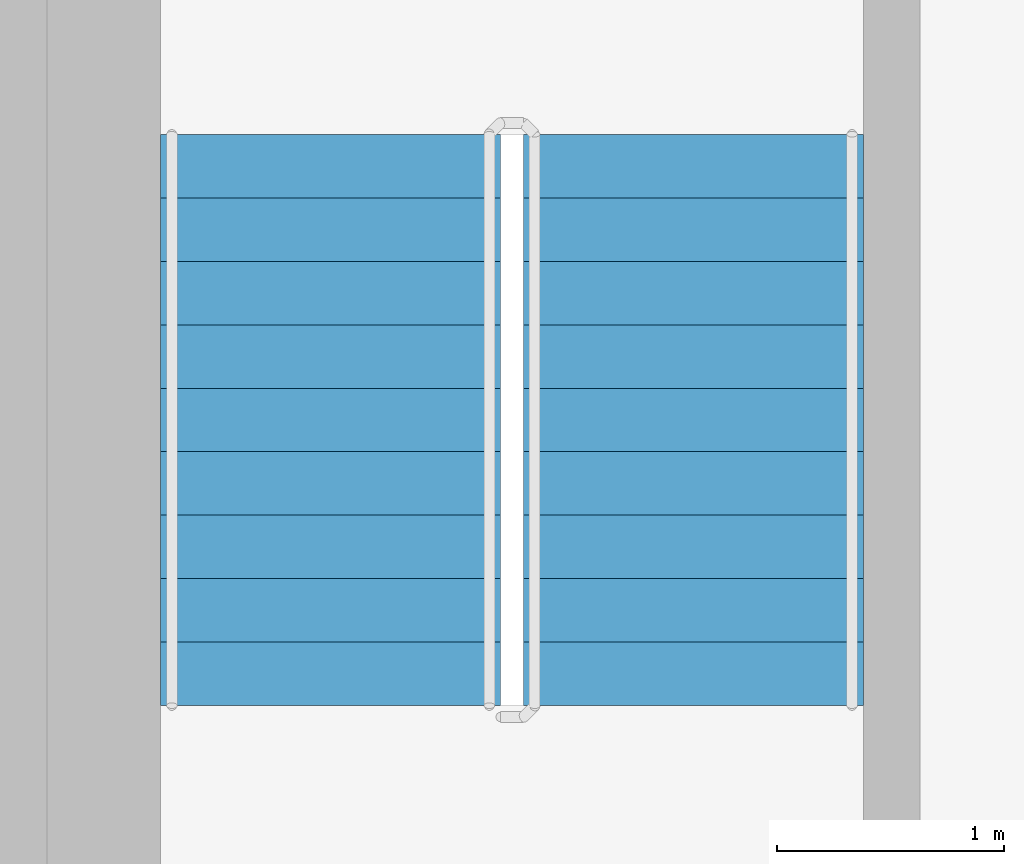
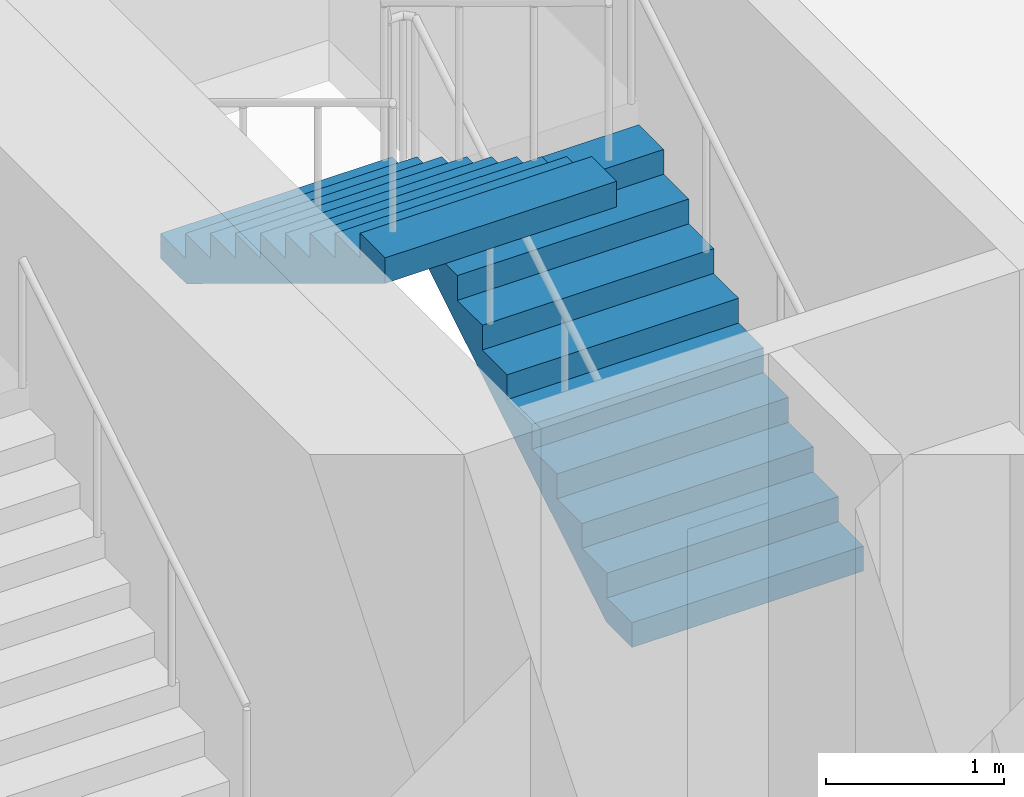
# One storey, part 13 of 22: 2 stair flights, 1 element without a shape of its own.
"""IFC4 building model written with IfcOpenShell, lengths in metres."""

from ifc_helpers import new_model, si_unit, direction, frame, origin, place, context, subcontext, project, spatial, triangles, source, transform, mapped, material, type_object, element, aggregate, save


model = new_model("IFC4")

# Units and contexts
model_context = context("Model", 3, precision=1e-05, world=origin(), true_north=direction((0.0, 1.0)))
body_context = subcontext(model_context, "Body", "Model", "MODEL_VIEW")
ifc_project = project(units=[si_unit("LENGTHUNIT", "METRE"), si_unit("AREAUNIT", "SQUARE_METRE"), si_unit("VOLUMEUNIT", "CUBIC_METRE"), si_unit("PLANEANGLEUNIT", "RADIAN"), si_unit("MASSUNIT", "GRAM", prefix="KILO")], contexts=[model_context])

# Site, building, storey
site_placement = place(None, origin())
site = spatial("IfcSite", under=ifc_project, at=site_placement, CompositionType="ELEMENT")
building_placement = place(site_placement, origin())
building = spatial("IfcBuilding", under=site, at=building_placement, Name="Kilnfold Tower and Market Hall", CompositionType="ELEMENT")
storey_placement = place(building_placement, frame((0.0, 0.0, 213.5)))
storey = spatial("IfcBuildingStorey", under=building, at=storey_placement, Name="L52", CompositionType="ELEMENT", Elevation=213.5)

# Stair, stair flights
ifc_material_1 = material(Name="Concrete C40/50", Category="concrete")
stair_type = type_object("IfcStairType", Name="CORE STAIR 1500", PredefinedType="HALF_TURN_STAIR", material=ifc_material_1)
stair_placement = place(storey_placement, origin())
stair = element("IfcStair", 1, at=stair_placement, inside=storey, type_object=stair_type, Name="L52 ST5", PredefinedType="HALF_TURN_STAIR")
ifc_material_2 = material(Name="Concrete C40/50", Category="concrete")
stair_flight_type = type_object("IfcStairFlightType", Name="CORE STAIR FLIGHT 1500", PredefinedType="STRAIGHT", material=ifc_material_2)
shared_shape = source(origin(), body_context, "Body", "Tessellation", [
    triangles([(0.0, 0.75, 0.0), (0.0, 0.65625, 0.0), (0.0, 0.5625, 0.0), (0.0, 0.46875, 0.0), (0.0, 0.375, 0.0), (0.0, 0.28125, 0.0), (0.0, 0.1875, 0.0), (0.0, 0.09375, 0.0), (0.0, 0.0, 0.0), (0.0, -0.09375, 0.0), (0.0, -0.1875, 0.0), (0.0, -0.28125, 0.0), (0.0, -0.375, 0.0), (0.0, -0.46875, 0.0), (0.0, -0.5625, 0.0), (0.0, -0.65625, 0.0), (0.0, -0.75, 0.0), (0.0, 0.75, 0.169921875), (0.0, 0.65625, 0.169921875), (0.0, 0.5625, 0.169921875), (0.0, 0.46875, 0.169921875), (0.0, 0.375, 0.169921875), (0.0, 0.28125, 0.169921875), (0.0, 0.1875, 0.169921875), (0.0, 0.09375, 0.169921875), (0.0, 0.0, 0.169921875), (0.0, -0.09375, 0.169921875), (0.0, -0.1875, 0.169921875), (0.0, -0.28125, 0.169921875), (0.0, -0.375, 0.169921875), (0.0, -0.46875, 0.169921875), (0.0, -0.5625, 0.169921875), (0.0, -0.65625, 0.169921875), (0.0, -0.75, 0.169921875), (0.280029296875, 0.75, 0.169921875), (0.280029296875, 0.65625, 0.169921875), (0.280029296875, 0.5625, 0.169921875), (0.280029296875, 0.46875, 0.169921875), (0.280029296875, 0.375, 0.169921875), (0.280029296875, 0.28125, 0.169921875), (0.280029296875, 0.1875, 0.169921875), (0.280029296875, 0.09375, 0.169921875), (0.280029296875, 0.0, 0.169921875), (0.280029296875, -0.09375, 0.169921875), (0.280029296875, -0.1875, 0.169921875), (0.280029296875, -0.28125, 0.169921875), (0.280029296875, -0.375, 0.169921875), (0.280029296875, -0.46875, 0.169921875), (0.280029296875, -0.5625, 0.169921875), (0.280029296875, -0.65625, 0.169921875), (0.280029296875, -0.75, 0.169921875), (0.280029296875, 0.75, 0.340087890625), (0.280029296875, 0.65625, 0.340087890625), (0.280029296875, 0.5625, 0.340087890625), (0.280029296875, 0.46875, 0.340087890625), (0.280029296875, 0.375, 0.340087890625), (0.280029296875, 0.28125, 0.340087890625), (0.280029296875, 0.1875, 0.340087890625), (0.280029296875, 0.09375, 0.340087890625), (0.280029296875, 0.0, 0.340087890625), (0.280029296875, -0.09375, 0.340087890625), (0.280029296875, -0.1875, 0.340087890625), (0.280029296875, -0.28125, 0.340087890625), (0.280029296875, -0.375, 0.340087890625), (0.280029296875, -0.46875, 0.340087890625), (0.280029296875, -0.5625, 0.340087890625), (0.280029296875, -0.65625, 0.340087890625), (0.280029296875, -0.75, 0.340087890625), (0.56005859375, 0.75, 0.340087890625), (0.56005859375, 0.65625, 0.340087890625), (0.56005859375, 0.5625, 0.340087890625), (0.56005859375, 0.46875, 0.340087890625), (0.56005859375, 0.375, 0.340087890625), (0.56005859375, 0.28125, 0.340087890625), (0.56005859375, 0.1875, 0.340087890625), (0.56005859375, 0.09375, 0.340087890625), (0.56005859375, 0.0, 0.340087890625), (0.56005859375, -0.09375, 0.340087890625), (0.56005859375, -0.1875, 0.340087890625), (0.56005859375, -0.28125, 0.340087890625), (0.56005859375, -0.375, 0.340087890625), (0.56005859375, -0.46875, 0.340087890625), (0.56005859375, -0.5625, 0.340087890625), (0.56005859375, -0.65625, 0.340087890625), (0.56005859375, -0.75, 0.340087890625), (0.56005859375, 0.75, 0.510009765625), (0.56005859375, 0.65625, 0.510009765625), (0.56005859375, 0.5625, 0.510009765625), (0.56005859375, 0.46875, 0.510009765625), (0.56005859375, 0.375, 0.510009765625), (0.56005859375, 0.28125, 0.510009765625), (0.56005859375, 0.1875, 0.510009765625), (0.56005859375, 0.09375, 0.510009765625), (0.56005859375, 0.0, 0.510009765625), (0.56005859375, -0.09375, 0.510009765625), (0.56005859375, -0.1875, 0.510009765625), (0.56005859375, -0.28125, 0.510009765625), (0.56005859375, -0.375, 0.510009765625), (0.56005859375, -0.46875, 0.510009765625), (0.56005859375, -0.5625, 0.510009765625), (0.56005859375, -0.65625, 0.510009765625), (0.56005859375, -0.75, 0.510009765625), (0.840087890625, 0.75, 0.510009765625), (0.840087890625, 0.65625, 0.510009765625), (0.840087890625, 0.5625, 0.510009765625), (0.840087890625, 0.46875, 0.510009765625), (0.840087890625, 0.375, 0.510009765625), (0.840087890625, 0.28125, 0.510009765625), (0.840087890625, 0.1875, 0.510009765625), (0.840087890625, 0.09375, 0.510009765625), (0.840087890625, 0.0, 0.510009765625), (0.840087890625, -0.09375, 0.510009765625), (0.840087890625, -0.1875, 0.510009765625), (0.840087890625, -0.28125, 0.510009765625), (0.840087890625, -0.375, 0.510009765625), (0.840087890625, -0.46875, 0.510009765625), (0.840087890625, -0.5625, 0.510009765625), (0.840087890625, -0.65625, 0.510009765625), (0.840087890625, -0.75, 0.510009765625), (0.840087890625, 0.75, 0.679931640625), (0.840087890625, 0.65625, 0.679931640625), (0.840087890625, 0.5625, 0.679931640625), (0.840087890625, 0.46875, 0.679931640625), (0.840087890625, 0.375, 0.679931640625), (0.840087890625, 0.28125, 0.679931640625), (0.840087890625, 0.1875, 0.679931640625), (0.840087890625, 0.09375, 0.679931640625), (0.840087890625, 0.0, 0.679931640625), (0.840087890625, -0.09375, 0.679931640625), (0.840087890625, -0.1875, 0.679931640625), (0.840087890625, -0.28125, 0.679931640625), (0.840087890625, -0.375, 0.679931640625), (0.840087890625, -0.46875, 0.679931640625), (0.840087890625, -0.5625, 0.679931640625), (0.840087890625, -0.65625, 0.679931640625), (0.840087890625, -0.75, 0.679931640625), (1.1201171875, 0.75, 0.679931640625), (1.1201171875, 0.65625, 0.679931640625), (1.1201171875, 0.5625, 0.679931640625), (1.1201171875, 0.46875, 0.679931640625), (1.1201171875, 0.375, 0.679931640625), (1.1201171875, 0.28125, 0.679931640625), (1.1201171875, 0.1875, 0.679931640625), (1.1201171875, 0.09375, 0.679931640625), (1.1201171875, 0.0, 0.679931640625), (1.1201171875, -0.09375, 0.679931640625), (1.1201171875, -0.1875, 0.679931640625), (1.1201171875, -0.28125, 0.679931640625), (1.1201171875, -0.375, 0.679931640625), (1.1201171875, -0.46875, 0.679931640625), (1.1201171875, -0.5625, 0.679931640625), (1.1201171875, -0.65625, 0.679931640625), (1.1201171875, -0.75, 0.679931640625), (1.1201171875, 0.75, 0.85009765625), (1.1201171875, 0.65625, 0.85009765625), (1.1201171875, 0.5625, 0.85009765625), (1.1201171875, 0.46875, 0.85009765625), (1.1201171875, 0.375, 0.85009765625), (1.1201171875, 0.28125, 0.85009765625), (1.1201171875, 0.1875, 0.85009765625), (1.1201171875, 0.09375, 0.85009765625), (1.1201171875, 0.0, 0.85009765625), (1.1201171875, -0.09375, 0.85009765625), (1.1201171875, -0.1875, 0.85009765625), (1.1201171875, -0.28125, 0.85009765625), (1.1201171875, -0.375, 0.85009765625), (1.1201171875, -0.46875, 0.85009765625), (1.1201171875, -0.5625, 0.85009765625), (1.1201171875, -0.65625, 0.85009765625), (1.1201171875, -0.75, 0.85009765625), (1.39990234375, 0.75, 0.85009765625), (1.39990234375, 0.65625, 0.85009765625), (1.39990234375, 0.5625, 0.85009765625), (1.39990234375, 0.46875, 0.85009765625), (1.39990234375, 0.375, 0.85009765625), (1.39990234375, 0.28125, 0.85009765625), (1.39990234375, 0.1875, 0.85009765625), (1.39990234375, 0.09375, 0.85009765625), (1.39990234375, 0.0, 0.85009765625), (1.39990234375, -0.09375, 0.85009765625), (1.39990234375, -0.1875, 0.85009765625), (1.39990234375, -0.28125, 0.85009765625), (1.39990234375, -0.375, 0.85009765625), (1.39990234375, -0.46875, 0.85009765625), (1.39990234375, -0.5625, 0.85009765625), (1.39990234375, -0.65625, 0.85009765625), (1.39990234375, -0.75, 0.85009765625), (1.39990234375, 0.75, 1.02001953125), (1.39990234375, 0.65625, 1.02001953125), (1.39990234375, 0.5625, 1.02001953125), (1.39990234375, 0.46875, 1.02001953125), (1.39990234375, 0.375, 1.02001953125), (1.39990234375, 0.28125, 1.02001953125), (1.39990234375, 0.1875, 1.02001953125), (1.39990234375, 0.09375, 1.02001953125), (1.39990234375, 0.0, 1.02001953125), (1.39990234375, -0.09375, 1.02001953125), (1.39990234375, -0.1875, 1.02001953125), (1.39990234375, -0.28125, 1.02001953125), (1.39990234375, -0.375, 1.02001953125), (1.39990234375, -0.46875, 1.02001953125), (1.39990234375, -0.5625, 1.02001953125), (1.39990234375, -0.65625, 1.02001953125), (1.39990234375, -0.75, 1.02001953125), (1.679931640625, 0.75, 1.02001953125), (1.679931640625, 0.65625, 1.02001953125), (1.679931640625, 0.5625, 1.02001953125), (1.679931640625, 0.46875, 1.02001953125), (1.679931640625, 0.375, 1.02001953125), (1.679931640625, 0.28125, 1.02001953125), (1.679931640625, 0.1875, 1.02001953125), (1.679931640625, 0.09375, 1.02001953125), (1.679931640625, 0.0, 1.02001953125), (1.679931640625, -0.09375, 1.02001953125), (1.679931640625, -0.1875, 1.02001953125), (1.679931640625, -0.28125, 1.02001953125), (1.679931640625, -0.375, 1.02001953125), (1.679931640625, -0.46875, 1.02001953125), (1.679931640625, -0.5625, 1.02001953125), (1.679931640625, -0.65625, 1.02001953125), (1.679931640625, -0.75, 1.02001953125), (1.679931640625, 0.75, 1.18994140625), (1.679931640625, 0.65625, 1.18994140625), (1.679931640625, 0.5625, 1.18994140625), (1.679931640625, 0.46875, 1.18994140625), (1.679931640625, 0.375, 1.18994140625), (1.679931640625, 0.28125, 1.18994140625), (1.679931640625, 0.1875, 1.18994140625), (1.679931640625, 0.09375, 1.18994140625), (1.679931640625, 0.0, 1.18994140625), (1.679931640625, -0.09375, 1.18994140625), (1.679931640625, -0.1875, 1.18994140625), (1.679931640625, -0.28125, 1.18994140625), (1.679931640625, -0.375, 1.18994140625), (1.679931640625, -0.46875, 1.18994140625), (1.679931640625, -0.5625, 1.18994140625), (1.679931640625, -0.65625, 1.18994140625), (1.679931640625, -0.75, 1.18994140625), (1.9599609375, 0.75, 1.18994140625), (1.9599609375, 0.65625, 1.18994140625), (1.9599609375, 0.5625, 1.18994140625), (1.9599609375, 0.46875, 1.18994140625), (1.9599609375, 0.375, 1.18994140625), (1.9599609375, 0.28125, 1.18994140625), (1.9599609375, 0.1875, 1.18994140625), (1.9599609375, 0.09375, 1.18994140625), (1.9599609375, 0.0, 1.18994140625), (1.9599609375, -0.09375, 1.18994140625), (1.9599609375, -0.1875, 1.18994140625), (1.9599609375, -0.28125, 1.18994140625), (1.9599609375, -0.375, 1.18994140625), (1.9599609375, -0.46875, 1.18994140625), (1.9599609375, -0.5625, 1.18994140625), (1.9599609375, -0.65625, 1.18994140625), (1.9599609375, -0.75, 1.18994140625), (1.9599609375, 0.75, 1.360107421875), (1.9599609375, 0.65625, 1.360107421875), (1.9599609375, 0.5625, 1.360107421875), (1.9599609375, 0.46875, 1.360107421875), (1.9599609375, 0.375, 1.360107421875), (1.9599609375, 0.28125, 1.360107421875), (1.9599609375, 0.1875, 1.360107421875), (1.9599609375, 0.09375, 1.360107421875), (1.9599609375, 0.0, 1.360107421875), (1.9599609375, -0.09375, 1.360107421875), (1.9599609375, -0.1875, 1.360107421875), (1.9599609375, -0.28125, 1.360107421875), (1.9599609375, -0.375, 1.360107421875), (1.9599609375, -0.46875, 1.360107421875), (1.9599609375, -0.5625, 1.360107421875), (1.9599609375, -0.65625, 1.360107421875), (1.9599609375, -0.75, 1.360107421875), (2.239990234375, 0.75, 1.360107421875), (2.239990234375, 0.65625, 1.360107421875), (2.239990234375, 0.5625, 1.360107421875), (2.239990234375, 0.46875, 1.360107421875), (2.239990234375, 0.375, 1.360107421875), (2.239990234375, 0.28125, 1.360107421875), (2.239990234375, 0.1875, 1.360107421875), (2.239990234375, 0.09375, 1.360107421875), (2.239990234375, 0.0, 1.360107421875), (2.239990234375, -0.09375, 1.360107421875), (2.239990234375, -0.1875, 1.360107421875), (2.239990234375, -0.28125, 1.360107421875), (2.239990234375, -0.375, 1.360107421875), (2.239990234375, -0.46875, 1.360107421875), (2.239990234375, -0.5625, 1.360107421875), (2.239990234375, -0.65625, 1.360107421875), (2.239990234375, -0.75, 1.360107421875), (2.239990234375, 0.75, 1.530029296875), (2.239990234375, 0.65625, 1.530029296875), (2.239990234375, 0.5625, 1.530029296875), (2.239990234375, 0.46875, 1.530029296875), (2.239990234375, 0.375, 1.530029296875), (2.239990234375, 0.28125, 1.530029296875), (2.239990234375, 0.1875, 1.530029296875), (2.239990234375, 0.09375, 1.530029296875), (2.239990234375, 0.0, 1.530029296875), (2.239990234375, -0.09375, 1.530029296875), (2.239990234375, -0.1875, 1.530029296875), (2.239990234375, -0.28125, 1.530029296875), (2.239990234375, -0.375, 1.530029296875), (2.239990234375, -0.46875, 1.530029296875), (2.239990234375, -0.5625, 1.530029296875), (2.239990234375, -0.65625, 1.530029296875), (2.239990234375, -0.75, 1.530029296875), (2.52001953125, 0.75, 1.530029296875), (2.52001953125, 0.65625, 1.530029296875), (2.52001953125, 0.5625, 1.530029296875), (2.52001953125, 0.46875, 1.530029296875), (2.52001953125, 0.375, 1.530029296875), (2.52001953125, 0.28125, 1.530029296875), (2.52001953125, 0.1875, 1.530029296875), (2.52001953125, 0.09375, 1.530029296875), (2.52001953125, 0.0, 1.530029296875), (2.52001953125, -0.09375, 1.530029296875), (2.52001953125, -0.1875, 1.530029296875), (2.52001953125, -0.28125, 1.530029296875), (2.52001953125, -0.375, 1.530029296875), (2.52001953125, -0.46875, 1.530029296875), (2.52001953125, -0.5625, 1.530029296875), (2.52001953125, -0.65625, 1.530029296875), (2.52001953125, -0.75, 1.530029296875), (2.52001953125, 0.75, 1.354736328125), (2.52001953125, 0.65625, 1.354736328125), (2.52001953125, 0.5625, 1.354736328125), (2.52001953125, 0.46875, 1.354736328125), (2.52001953125, 0.375, 1.354736328125), (2.52001953125, 0.28125, 1.354736328125), (2.52001953125, 0.1875, 1.354736328125), (2.52001953125, 0.09375, 1.354736328125), (2.52001953125, 0.0, 1.354736328125), (2.52001953125, -0.09375, 1.354736328125), (2.52001953125, -0.1875, 1.354736328125), (2.52001953125, -0.28125, 1.354736328125), (2.52001953125, -0.375, 1.354736328125), (2.52001953125, -0.46875, 1.354736328125), (2.52001953125, -0.5625, 1.354736328125), (2.52001953125, -0.65625, 1.354736328125), (2.52001953125, -0.75, 1.354736328125), (0.288818359375, 0.75, 0.0), (0.288818359375, 0.65625, 0.0), (0.288818359375, 0.5625, 0.0), (0.288818359375, 0.46875, 0.0), (0.288818359375, 0.375, 0.0), (0.288818359375, 0.28125, 0.0), (0.288818359375, 0.1875, 0.0), (0.288818359375, 0.09375, 0.0), (0.288818359375, 0.0, 0.0), (0.288818359375, -0.09375, 0.0), (0.288818359375, -0.1875, 0.0), (0.288818359375, -0.28125, 0.0), (0.288818359375, -0.375, 0.0), (0.288818359375, -0.46875, 0.0), (0.288818359375, -0.5625, 0.0), (0.288818359375, -0.65625, 0.0), (0.288818359375, -0.75, 0.0)], [[1, 324, 341], [17, 357, 340], [324, 290, 307], [340, 323, 306], [324, 273, 290], [340, 306, 289], [324, 256, 273], [340, 289, 272], [324, 239, 256], [340, 272, 255], [239, 205, 222], [255, 238, 221], [324, 205, 239], [340, 255, 221], [205, 171, 188], [221, 204, 187], [324, 171, 205], [340, 221, 187], [171, 137, 154], [187, 170, 153], [324, 137, 171], [340, 187, 153], [137, 103, 120], [153, 136, 119], [324, 103, 137], [340, 153, 119], [103, 69, 86], [119, 102, 85], [324, 69, 103], [340, 119, 85], [69, 35, 52], [85, 68, 51], [324, 35, 69], [340, 85, 51], [1, 35, 324], [17, 340, 51], [35, 1, 18], [51, 34, 17], [1, 19, 18], [1, 2, 19], [2, 20, 19], [2, 3, 20], [3, 21, 20], [3, 4, 21], [4, 22, 21], [4, 5, 22], [5, 23, 22], [5, 6, 23], [6, 24, 23], [6, 7, 24], [7, 25, 24], [7, 8, 25], [8, 26, 25], [8, 9, 26], [9, 27, 26], [9, 10, 27], [10, 28, 27], [10, 11, 28], [11, 29, 28], [11, 12, 29], [12, 30, 29], [12, 13, 30], [13, 31, 30], [13, 14, 31], [14, 32, 31], [14, 15, 32], [15, 33, 32], [15, 16, 33], [16, 34, 33], [16, 17, 34], [18, 36, 35], [18, 19, 36], [19, 37, 36], [19, 20, 37], [20, 38, 37], [20, 21, 38], [21, 39, 38], [21, 22, 39], [22, 40, 39], [22, 23, 40], [23, 41, 40], [23, 24, 41], [24, 42, 41], [24, 25, 42], [25, 43, 42], [25, 26, 43], [26, 44, 43], [26, 27, 44], [27, 45, 44], [27, 28, 45], [28, 46, 45], [28, 29, 46], [29, 47, 46], [29, 30, 47], [30, 48, 47], [30, 31, 48], [31, 49, 48], [31, 32, 49], [32, 50, 49], [32, 33, 50], [33, 51, 50], [33, 34, 51], [35, 53, 52], [35, 36, 53], [36, 54, 53], [36, 37, 54], [37, 55, 54], [37, 38, 55], [38, 56, 55], [38, 39, 56], [39, 57, 56], [39, 40, 57], [40, 58, 57], [40, 41, 58], [41, 59, 58], [41, 42, 59], [42, 60, 59], [42, 43, 60], [43, 61, 60], [43, 44, 61], [44, 62, 61], [44, 45, 62], [45, 63, 62], [45, 46, 63], [46, 64, 63], [46, 47, 64], [47, 65, 64], [47, 48, 65], [48, 66, 65], [48, 49, 66], [49, 67, 66], [49, 50, 67], [50, 68, 67], [50, 51, 68], [52, 70, 69], [52, 53, 70], [53, 71, 70], [53, 54, 71], [54, 72, 71], [54, 55, 72], [55, 73, 72], [55, 56, 73], [56, 74, 73], [56, 57, 74], [57, 75, 74], [57, 58, 75], [58, 76, 75], [58, 59, 76], [59, 77, 76], [59, 60, 77], [60, 78, 77], [60, 61, 78], [61, 79, 78], [61, 62, 79], [62, 80, 79], [62, 63, 80], [63, 81, 80], [63, 64, 81], [64, 82, 81], [64, 65, 82], [65, 83, 82], [65, 66, 83], [66, 84, 83], [66, 67, 84], [67, 85, 84], [67, 68, 85], [69, 87, 86], [69, 70, 87], [70, 88, 87], [70, 71, 88], [71, 89, 88], [71, 72, 89], [72, 90, 89], [72, 73, 90], [73, 91, 90], [73, 74, 91], [74, 92, 91], [74, 75, 92], [75, 93, 92], [75, 76, 93], [76, 94, 93], [76, 77, 94], [77, 95, 94], [77, 78, 95], [78, 96, 95], [78, 79, 96], [79, 97, 96], [79, 80, 97], [80, 98, 97], [80, 81, 98], [81, 99, 98], [81, 82, 99], [82, 100, 99], [82, 83, 100], [83, 101, 100], [83, 84, 101], [84, 102, 101], [84, 85, 102], [86, 104, 103], [86, 87, 104], [87, 105, 104], [87, 88, 105], [88, 106, 105], [88, 89, 106], [89, 107, 106], [89, 90, 107], [90, 108, 107], [90, 91, 108], [91, 109, 108], [91, 92, 109], [92, 110, 109], [92, 93, 110], [93, 111, 110], [93, 94, 111], [94, 112, 111], [94, 95, 112], [95, 113, 112], [95, 96, 113], [96, 114, 113], [96, 97, 114], [97, 115, 114], [97, 98, 115], [98, 116, 115], [98, 99, 116], [99, 117, 116], [99, 100, 117], [100, 118, 117], [100, 101, 118], [101, 119, 118], [101, 102, 119], [103, 121, 120], [103, 104, 121], [104, 122, 121], [104, 105, 122], [105, 123, 122], [105, 106, 123], [106, 124, 123], [106, 107, 124], [107, 125, 124], [107, 108, 125], [108, 126, 125], [108, 109, 126], [109, 127, 126], [109, 110, 127], [110, 128, 127], [110, 111, 128], [111, 129, 128], [111, 112, 129], [112, 130, 129], [112, 113, 130], [113, 131, 130], [113, 114, 131], [114, 132, 131], [114, 115, 132], [115, 133, 132], [115, 116, 133], [116, 134, 133], [116, 117, 134], [117, 135, 134], [117, 118, 135], [118, 136, 135], [118, 119, 136], [120, 138, 137], [120, 121, 138], [121, 139, 138], [121, 122, 139], [122, 140, 139], [122, 123, 140], [123, 141, 140], [123, 124, 141], [124, 142, 141], [124, 125, 142], [125, 143, 142], [125, 126, 143], [126, 144, 143], [126, 127, 144], [127, 145, 144], [127, 128, 145], [128, 146, 145], [128, 129, 146], [129, 147, 146], [129, 130, 147], [130, 148, 147], [130, 131, 148], [131, 149, 148], [131, 132, 149], [132, 150, 149], [132, 133, 150], [133, 151, 150], [133, 134, 151], [134, 152, 151], [134, 135, 152], [135, 153, 152], [135, 136, 153], [137, 155, 154], [137, 138, 155], [138, 156, 155], [138, 139, 156], [139, 157, 156], [139, 140, 157], [140, 158, 157], [140, 141, 158], [141, 159, 158], [141, 142, 159], [142, 160, 159], [142, 143, 160], [143, 161, 160], [143, 144, 161], [144, 162, 161], [144, 145, 162], [145, 163, 162], [145, 146, 163], [146, 164, 163], [146, 147, 164], [147, 165, 164], [147, 148, 165], [148, 166, 165], [148, 149, 166], [149, 167, 166], [149, 150, 167], [150, 168, 167], [150, 151, 168], [151, 169, 168], [151, 152, 169], [152, 170, 169], [152, 153, 170], [154, 172, 171], [154, 155, 172], [155, 173, 172], [155, 156, 173], [156, 174, 173], [156, 157, 174], [157, 175, 174], [157, 158, 175], [158, 176, 175], [158, 159, 176], [159, 177, 176], [159, 160, 177], [160, 178, 177], [160, 161, 178], [161, 179, 178], [161, 162, 179], [162, 180, 179], [162, 163, 180], [163, 181, 180], [163, 164, 181], [164, 182, 181], [164, 165, 182], [165, 183, 182], [165, 166, 183], [166, 184, 183], [166, 167, 184], [167, 185, 184], [167, 168, 185], [168, 186, 185], [168, 169, 186], [169, 187, 186], [169, 170, 187], [171, 189, 188], [171, 172, 189], [172, 190, 189], [172, 173, 190], [173, 191, 190], [173, 174, 191], [174, 192, 191], [174, 175, 192], [175, 193, 192], [175, 176, 193], [176, 194, 193], [176, 177, 194], [177, 195, 194], [177, 178, 195], [178, 196, 195], [178, 179, 196], [179, 197, 196], [179, 180, 197], [180, 198, 197], [180, 181, 198], [181, 199, 198], [181, 182, 199], [182, 200, 199], [182, 183, 200], [183, 201, 200], [183, 184, 201], [184, 202, 201], [184, 185, 202], [185, 203, 202], [185, 186, 203], [186, 204, 203], [186, 187, 204], [188, 206, 205], [188, 189, 206], [189, 207, 206], [189, 190, 207], [190, 208, 207], [190, 191, 208], [191, 209, 208], [191, 192, 209], [192, 210, 209], [192, 193, 210], [193, 211, 210], [193, 194, 211], [194, 212, 211], [194, 195, 212], [195, 213, 212], [195, 196, 213], [196, 214, 213], [196, 197, 214], [197, 215, 214], [197, 198, 215], [198, 216, 215], [198, 199, 216], [199, 217, 216], [199, 200, 217], [200, 218, 217], [200, 201, 218], [201, 219, 218], [201, 202, 219], [202, 220, 219], [202, 203, 220], [203, 221, 220], [203, 204, 221], [205, 223, 222], [205, 206, 223], [206, 224, 223], [206, 207, 224], [207, 225, 224], [207, 208, 225], [208, 226, 225], [208, 209, 226], [209, 227, 226], [209, 210, 227], [210, 228, 227], [210, 211, 228], [211, 229, 228], [211, 212, 229], [212, 230, 229], [212, 213, 230], [213, 231, 230], [213, 214, 231], [214, 232, 231], [214, 215, 232], [215, 233, 232], [215, 216, 233], [216, 234, 233], [216, 217, 234], [217, 235, 234], [217, 218, 235], [218, 236, 235], [218, 219, 236], [219, 237, 236], [219, 220, 237], [220, 238, 237], [220, 221, 238], [222, 240, 239], [222, 223, 240], [223, 241, 240], [223, 224, 241], [224, 242, 241], [224, 225, 242], [225, 243, 242], [225, 226, 243], [226, 244, 243], [226, 227, 244], [227, 245, 244], [227, 228, 245], [228, 246, 245], [228, 229, 246], [229, 247, 246], [229, 230, 247], [230, 248, 247], [230, 231, 248], [231, 249, 248], [231, 232, 249], [232, 250, 249], [232, 233, 250], [233, 251, 250], [233, 234, 251], [234, 252, 251], [234, 235, 252], [235, 253, 252], [235, 236, 253], [236, 254, 253], [236, 237, 254], [237, 255, 254], [237, 238, 255], [239, 257, 256], [239, 240, 257], [240, 258, 257], [240, 241, 258], [241, 259, 258], [241, 242, 259], [242, 260, 259], [242, 243, 260], [243, 261, 260], [243, 244, 261], [244, 262, 261], [244, 245, 262], [245, 263, 262], [245, 246, 263], [246, 264, 263], [246, 247, 264], [247, 265, 264], [247, 248, 265], [248, 266, 265], [248, 249, 266], [249, 267, 266], [249, 250, 267], [250, 268, 267], [250, 251, 268], [251, 269, 268], [251, 252, 269], [252, 270, 269], [252, 253, 270], [253, 271, 270], [253, 254, 271], [254, 272, 271], [254, 255, 272], [256, 274, 273], [256, 257, 274], [257, 275, 274], [257, 258, 275], [258, 276, 275], [258, 259, 276], [259, 277, 276], [259, 260, 277], [260, 278, 277], [260, 261, 278], [261, 279, 278], [261, 262, 279], [262, 280, 279], [262, 263, 280], [263, 281, 280], [263, 264, 281], [264, 282, 281], [264, 265, 282], [265, 283, 282], [265, 266, 283], [266, 284, 283], [266, 267, 284], [267, 285, 284], [267, 268, 285], [268, 286, 285], [268, 269, 286], [269, 287, 286], [269, 270, 287], [270, 288, 287], [270, 271, 288], [271, 289, 288], [271, 272, 289], [273, 291, 290], [273, 274, 291], [274, 292, 291], [274, 275, 292], [275, 293, 292], [275, 276, 293], [276, 294, 293], [276, 277, 294], [277, 295, 294], [277, 278, 295], [278, 296, 295], [278, 279, 296], [279, 297, 296], [279, 280, 297], [280, 298, 297], [280, 281, 298], [281, 299, 298], [281, 282, 299], [282, 300, 299], [282, 283, 300], [283, 301, 300], [283, 284, 301], [284, 302, 301], [284, 285, 302], [285, 303, 302], [285, 286, 303], [286, 304, 303], [286, 287, 304], [287, 305, 304], [287, 288, 305], [288, 306, 305], [288, 289, 306], [290, 308, 307], [290, 291, 308], [291, 309, 308], [291, 292, 309], [292, 310, 309], [292, 293, 310], [293, 311, 310], [293, 294, 311], [294, 312, 311], [294, 295, 312], [295, 313, 312], [295, 296, 313], [296, 314, 313], [296, 297, 314], [297, 315, 314], [297, 298, 315], [298, 316, 315], [298, 299, 316], [299, 317, 316], [299, 300, 317], [300, 318, 317], [300, 301, 318], [301, 319, 318], [301, 302, 319], [302, 320, 319], [302, 303, 320], [303, 321, 320], [303, 304, 321], [304, 322, 321], [304, 305, 322], [305, 323, 322], [305, 306, 323], [307, 325, 324], [307, 308, 325], [308, 326, 325], [308, 309, 326], [309, 327, 326], [309, 310, 327], [310, 328, 327], [310, 311, 328], [311, 329, 328], [311, 312, 329], [312, 330, 329], [312, 313, 330], [313, 331, 330], [313, 314, 331], [314, 332, 331], [314, 315, 332], [315, 333, 332], [315, 316, 333], [316, 334, 333], [316, 317, 334], [317, 335, 334], [317, 318, 335], [318, 336, 335], [318, 319, 336], [319, 337, 336], [319, 320, 337], [320, 338, 337], [320, 321, 338], [321, 339, 338], [321, 322, 339], [322, 340, 339], [322, 323, 340], [324, 342, 341], [324, 325, 342], [325, 343, 342], [325, 326, 343], [326, 344, 343], [326, 327, 344], [327, 345, 344], [327, 328, 345], [328, 346, 345], [328, 329, 346], [329, 347, 346], [329, 330, 347], [330, 348, 347], [330, 331, 348], [331, 349, 348], [331, 332, 349], [332, 350, 349], [332, 333, 350], [333, 351, 350], [333, 334, 351], [334, 352, 351], [334, 335, 352], [335, 353, 352], [335, 336, 353], [336, 354, 353], [336, 337, 354], [337, 355, 354], [337, 338, 355], [338, 356, 355], [338, 339, 356], [339, 357, 356], [339, 340, 357], [341, 2, 1], [341, 342, 2], [342, 3, 2], [342, 343, 3], [343, 4, 3], [343, 344, 4], [344, 5, 4], [344, 345, 5], [345, 6, 5], [345, 346, 6], [346, 7, 6], [346, 347, 7], [347, 8, 7], [347, 348, 8], [348, 9, 8], [348, 349, 9], [349, 10, 9], [349, 350, 10], [350, 11, 10], [350, 351, 11], [351, 12, 11], [351, 352, 12], [352, 13, 12], [352, 353, 13], [353, 14, 13], [353, 354, 14], [354, 15, 14], [354, 355, 15], [355, 16, 15], [355, 356, 16], [356, 17, 16], [356, 357, 17]], closed=True),
])
stair_flight_1_placement = place(storey_placement, frame((20.699951171875, 11.5, 0.0), z_axis=(0.0, 0.0, 1.0), x_axis=(0.0, 1.0, 0.0)))
stair_flight_1 = element("IfcStairFlight", 2, at=stair_flight_1_placement, type_object=stair_flight_type, Name="ST5 flight 1", NumberOfRisers=10, NumberOfTreads=9, PredefinedType="STRAIGHT", RiserHeight=0.17, TreadLength=0.28, context=body_context, shape_type="MappedRepresentation", body=[
    mapped(shared_shape, transform((0.0, 0.0, 0.0))),
])
stair_flight_2_placement = place(storey_placement, frame((19.10009765625, 14.02001953125, 1.699951171875), z_axis=(0.0, 0.0, 1.0), x_axis=(0.0, -1.0, 0.0)))
stair_flight_2 = element("IfcStairFlight", 3, at=stair_flight_2_placement, type_object=stair_flight_type, Name="ST5 flight 2", NumberOfRisers=10, NumberOfTreads=9, PredefinedType="STRAIGHT", RiserHeight=0.17, TreadLength=0.28, context=body_context, shape_type="MappedRepresentation", body=[
    mapped(shared_shape, transform((0.0, 0.0, 0.0))),
])
aggregate(stair, [stair_flight_1, stair_flight_2])

save(model, "model.ifc")
